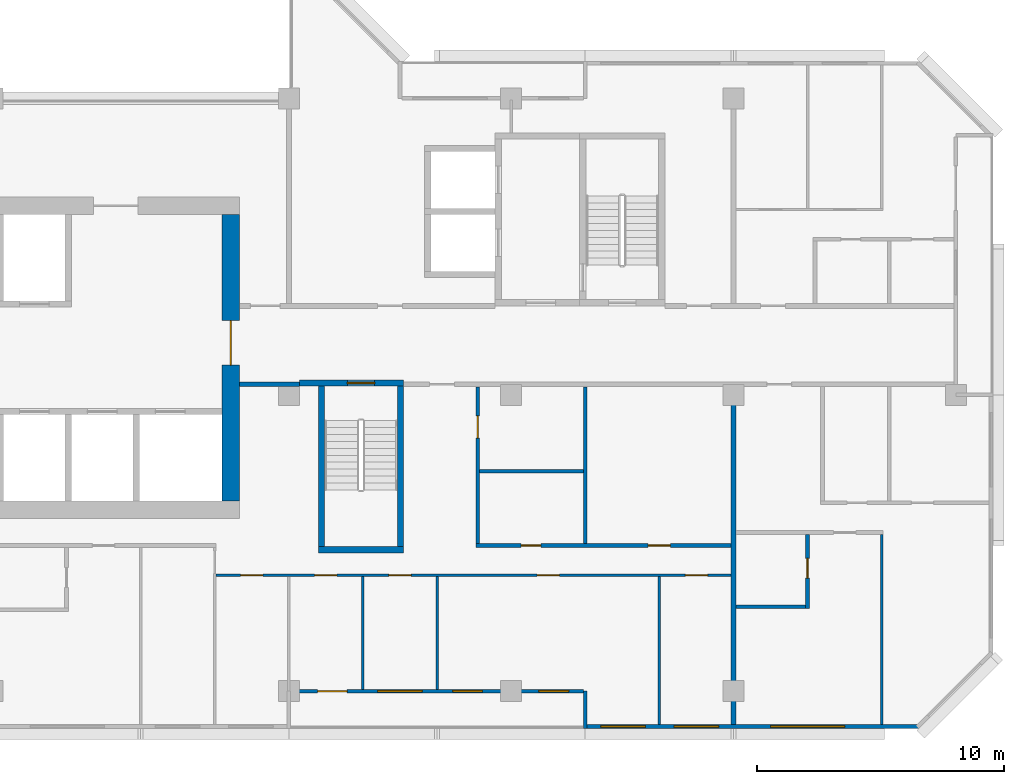
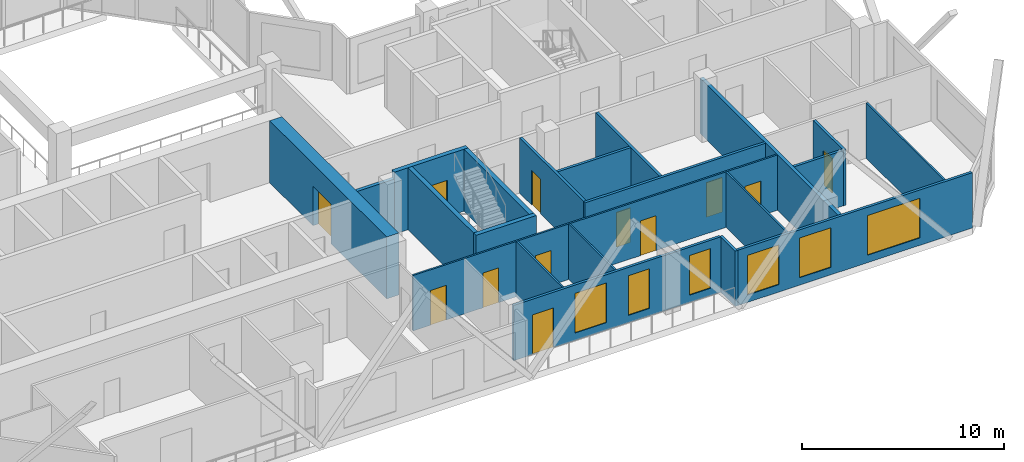
# One storey, part 6 of 14: 21 walls, 12 doors, 6 windows, 18 openings.
"""IFC4 building model written with IfcOpenShell, lengths in metres."""

from ifc_helpers import new_model, si_unit, direction, frame, frame_2d, origin, place, context, subcontext, project, spatial, rectangle, extrude, material, layer, layer_set, type_object, element, fill, save


model = new_model("IFC4")

# Units and contexts
model_context = context("Model", 3, precision=1e-05, world=origin(), true_north=direction((0.0, 1.0)))
body_context = subcontext(model_context, "Body", "Model", "MODEL_VIEW")
ifc_project = project(units=[si_unit("LENGTHUNIT", "METRE"), si_unit("AREAUNIT", "SQUARE_METRE"), si_unit("VOLUMEUNIT", "CUBIC_METRE"), si_unit("PLANEANGLEUNIT", "RADIAN"), si_unit("MASSUNIT", "GRAM", prefix="KILO")], contexts=[model_context])

# Site, building, storey
site_placement = place(None, origin())
site = spatial("IfcSite", under=ifc_project, at=site_placement, CompositionType="ELEMENT")
building_placement = place(site_placement, origin())
building = spatial("IfcBuilding", under=site, at=building_placement, Name="Chenar Terraces", CompositionType="ELEMENT")
storey_placement = place(building_placement, frame((0.0, 0.0, 226.64990234375)))
storey = spatial("IfcBuildingStorey", under=building, at=storey_placement, Name="L53", CompositionType="ELEMENT", Elevation=226.64990234375)

# Wall
ifc_material_1 = material(Name="Concrete C60/75", Category="concrete")
ifc_layer_1 = layer(ifc_material_1, 0.25)
ifc_layer_set_1 = layer_set([ifc_layer_1], Name="Concrete C60/75")
wall_type_1 = type_object("IfcWallType", Name="Core wall 250 Concrete C60/75", PredefinedType="SHEAR", material=ifc_layer_set_1)
wall_1_placement = place(storey_placement, frame((37.199951171875, 5.72509765625, 0.0), z_axis=(0.0, 0.0, 1.0), x_axis=(1.0, 0.0, 0.0)))
element("IfcWall", 1, at=wall_1_placement, inside=storey, type_object=wall_type_1, Name="Core wall ST2_S L53", PredefinedType="SHEAR", context=body_context, shape_type="SweptSolid", body=[
    extrude(rectangle(XDim=3.449951171875, YDim=0.25, at=frame_2d((1.72509765625, 0.0))), origin(), (0.0, 0.0, 1.0), 3.75),
])

# Wall, opening, door
wall_2_placement = place(storey_placement, frame((36.425048828125, 12.47509765625, 0.0), z_axis=(0.0, 0.0, 1.0), x_axis=(1.0, 0.0, 0.0)))
wall_2 = element("IfcWall", 2, at=wall_2_placement, inside=storey, type_object=wall_type_1, Name="Core wall ST2_N L53", PredefinedType="SHEAR", context=body_context, shape_type="SweptSolid", body=[
    extrude(rectangle(XDim=4.224853515625, YDim=0.25, at=frame_2d((2.1123046875, 0.0))), origin(), (0.0, 0.0, 1.0), 3.75),
])
opening_1_placement = place(wall_2_placement, frame((1.949951171875, 0.0, 0.0)))
opening_1 = element("IfcOpeningElement", 3, at=opening_1_placement, cuts=wall_2, Name="Opening DL53-C7", PredefinedType="OPENING", context=body_context, shape_type="SweptSolid", body=[
    extrude(rectangle(XDim=1.10009765625, YDim=2.199951171875, at=frame_2d((0.550048828125, 1.10009765625))), frame((0.0, 0.135009765625, 0.0), z_axis=(0.0, -1.0, 0.0), x_axis=(1.0, 0.0, 0.0)), (0.0, 0.0, 1.0), 0.27001953125),
])
ifc_material_2 = material(Name="Steel-framed fire-resisting door leaf", Category="steel")
door_type_1 = type_object("IfcDoorType", Name="Stair fire door FD60 1100 x 2200", OperationType="SINGLE_SWING_LEFT", PredefinedType="DOOR", material=ifc_material_2)
door_1_placement = place(opening_1_placement, frame((1.10009765625, 0.0, 0.0), z_axis=(0.0, 0.0, 1.0), x_axis=(-1.0, 0.0, 0.0)))
door_1 = element("IfcDoor", 4, at=door_1_placement, inside=storey, type_object=door_type_1, Name="Stair door DL53-C7", OperationType="SINGLE_SWING_LEFT", OverallHeight=2.199951171875, OverallWidth=1.10009765625, PredefinedType="DOOR", context=body_context, shape_type="SweptSolid", body=[
    extrude(rectangle(XDim=1.10009765625, YDim=2.199951171875, at=frame_2d((0.550048828125, 1.10009765625))), frame((0.0, 0.02490234375, 0.0), z_axis=(0.0, -1.0, 0.0), x_axis=(1.0, 0.0, 0.0)), (0.0, 0.0, 1.0), 0.050048828125),
])
fill(opening_1, door_1)

# Walls
for number, where, z_axis, x_axis, name in (
    (5, (37.324951171875, 5.85009765625, 0.0), (0.0, 0.0, 1.0), (0.0, 1.0, 0.0), "Core wall ST2_W L53"),
    (6, (40.52490234375, 5.85009765625, 0.0), (0.0, 0.0, 1.0), (0.0, 1.0, 0.0), "Core wall ST2_E L53"),
):
    element("IfcWall", number, at=place(storey_placement, frame(where, z_axis=z_axis, x_axis=x_axis)), inside=storey, type_object=wall_type_1, Name=name, PredefinedType="SHEAR", context=body_context, shape_type="SweptSolid", body=[
        extrude(rectangle(XDim=6.5, YDim=0.25, at=frame_2d((3.25, 0.0))), origin(), (0.0, 0.0, 1.0), 3.75),
    ])

# Wall, opening, door
ifc_material_3 = material(Name="Concrete C60/75", Category="concrete")
ifc_layer_2 = layer(ifc_material_3, 0.699951171875)
ifc_layer_set_2 = layer_set([ifc_layer_2], Name="Concrete C60/75")
wall_type_2 = type_object("IfcWallType", Name="Core wall 700 Concrete C60/75", PredefinedType="SHEAR", material=ifc_layer_set_2)
wall_3_placement = place(storey_placement, frame((33.64990234375, 7.699951171875, 0.0), z_axis=(0.0, 0.0, 1.0), x_axis=(0.0, 1.0, 0.0)))
wall_3 = element("IfcWall", 7, at=wall_3_placement, inside=storey, type_object=wall_type_2, Name="Core wall E L53", PredefinedType="SHEAR", context=body_context, shape_type="SweptSolid", body=[
    extrude(rectangle(XDim=11.60009765625, YDim=0.699951171875, at=frame_2d((5.800048828125, 0.0))), origin(), (0.0, 0.0, 1.0), 3.75),
])
opening_2_placement = place(wall_3_placement, frame((5.5, 0.0, 0.0)))
opening_2 = element("IfcOpeningElement", 8, at=opening_2_placement, cuts=wall_3, Name="Opening DL53-C1", PredefinedType="OPENING", context=body_context, shape_type="SweptSolid", body=[
    extrude(rectangle(XDim=1.800048828125, YDim=2.39990234375, at=frame_2d((0.89990234375, 1.199951171875))), frame((0.0, 0.35986328125, 0.0), z_axis=(0.0, -1.0, 0.0), x_axis=(1.0, 0.0, 0.0)), (0.0, 0.0, 1.0), 0.719970703125),
])
ifc_material_4 = material(Name="Steel-framed fire-resisting door leaf", Category="steel")
door_type_2 = type_object("IfcDoorType", Name="Core entrance double fire door FD60 1800 x 2400", OperationType="DOUBLE_DOOR_SINGLE_SWING", PredefinedType="DOOR", material=ifc_material_4)
door_2_placement = place(opening_2_placement, origin())
door_2 = element("IfcDoor", 9, at=door_2_placement, inside=storey, type_object=door_type_2, Name="Core door DL53-C1", OperationType="DOUBLE_DOOR_SINGLE_SWING", OverallHeight=2.39990234375, OverallWidth=1.800048828125, PredefinedType="DOOR", context=body_context, shape_type="SweptSolid", body=[
    extrude(rectangle(XDim=1.800048828125, YDim=2.39990234375, at=frame_2d((0.89990234375, 1.199951171875))), frame((0.0, 0.02490234375, 0.0), z_axis=(0.0, -1.0, 0.0), x_axis=(1.0, 0.0, 0.0)), (0.0, 0.0, 1.0), 0.050048828125),
])
fill(opening_2, door_2)

# Wall
ifc_material_5 = material(Name="Gypsum board on steel studs with fire boards", Category="steel")
ifc_layer_3 = layer(ifc_material_5, 0.199951171875)
ifc_layer_set_3 = layer_set([ifc_layer_3], Name="Gypsum board on steel studs with fire boards")
wall_type_3 = type_object("IfcWallType", Name="Corridor wall 200", PredefinedType="PARTITIONING", material=ifc_layer_set_3)
wall_4_placement = place(storey_placement, frame((34.0, 12.425048828125, 0.0), z_axis=(0.0, 0.0, 1.0), x_axis=(1.0, 0.0, 0.0)))
element("IfcWall", 10, at=wall_4_placement, inside=storey, type_object=wall_type_3, Name="Partition L53-058", PredefinedType="PARTITIONING", context=body_context, shape_type="SweptSolid", body=[
    extrude(rectangle(XDim=2.426025390625, YDim=0.199951171875, at=frame_2d((1.212890625, 0.0))), origin(), (0.0, 0.0, 1.0), 3.35009765625),
])

# Wall, openings, windows
ifc_material_6 = material(Name="Aluminium framed glazing", Category="aluminium")
ifc_layer_4 = layer(ifc_material_6, 0.14990234375)
ifc_layer_set_4 = layer_set([ifc_layer_4], Name="Aluminium framed glazing")
wall_type_4 = type_object("IfcWallType", Name="Glazed flush facade wall 150", PredefinedType="SOLIDWALL", material=ifc_layer_set_4)
wall_5_placement = place(storey_placement, frame((48.074951171875, -1.425048828125, 0.0), z_axis=(0.0, 0.0, 1.0), x_axis=(1.0, 0.0, 0.0)))
wall_5 = element("IfcWall", 11, at=wall_5_placement, inside=storey, type_object=wall_type_4, Name="Glazed flush facade wall", PredefinedType="SOLIDWALL", context=body_context, shape_type="SweptSolid", body=[
    extrude(rectangle(XDim=13.425048828125, YDim=0.14990234375, at=frame_2d((6.71240234375, 0.0))), origin(), (0.0, 0.0, 1.0), 3.35009765625),
])
opening_3_placement = place(wall_5_placement, frame((0.5625, 0.0, 0.449951171875)))
opening_3 = element("IfcOpeningElement", 12, at=opening_3_placement, cuts=wall_5, Name="Opening W180x240", PredefinedType="OPENING", context=body_context, shape_type="SweptSolid", body=[
    extrude(rectangle(XDim=1.800048828125, YDim=2.39990234375, at=frame_2d((0.89990234375, 1.199951171875))), frame((0.0, 0.0849609375, 0.0), z_axis=(0.0, -1.0, 0.0), x_axis=(1.0, 0.0, 0.0)), (0.0, 0.0, 1.0), 0.169921875),
])
opening_4_placement = place(wall_5_placement, frame((3.52490234375, 0.0, 0.449951171875)))
opening_4 = element("IfcOpeningElement", 13, at=opening_4_placement, cuts=wall_5, Name="Opening W180x240", PredefinedType="OPENING", context=body_context, shape_type="SweptSolid", body=[
    extrude(rectangle(XDim=1.800048828125, YDim=2.39990234375, at=frame_2d((0.89990234375, 1.199951171875))), frame((0.0, 0.0849609375, 0.0), z_axis=(0.0, -1.0, 0.0), x_axis=(1.0, 0.0, 0.0)), (0.0, 0.0, 1.0), 0.169921875),
])
opening_5_placement = place(wall_5_placement, frame((7.425048828125, 0.0, 0.449951171875)))
opening_5 = element("IfcOpeningElement", 14, at=opening_5_placement, cuts=wall_5, Name="Opening W300x240", PredefinedType="OPENING", context=body_context, shape_type="SweptSolid", body=[
    extrude(rectangle(XDim=3.0, YDim=2.39990234375, at=frame_2d((1.5, 1.199951171875))), frame((0.0, 0.0849609375, 0.0), z_axis=(0.0, -1.0, 0.0), x_axis=(1.0, 0.0, 0.0)), (0.0, 0.0, 1.0), 0.169921875),
])
ifc_material_7 = material(Name="Low emissivity double glazing, aluminium frame", Category="aluminium")
window_type_1 = type_object("IfcWindowType", Name="Fixed light 1800 x 2400", PartitioningType="SINGLE_PANEL", PredefinedType="WINDOW", material=ifc_material_7)
window_1_placement = place(opening_3_placement, origin())
window_1 = element("IfcWindow", 15, at=window_1_placement, inside=storey, type_object=window_type_1, Name="Window", OverallHeight=2.39990234375, OverallWidth=1.800048828125, PartitioningType="SINGLE_PANEL", PredefinedType="WINDOW", context=body_context, shape_type="SweptSolid", body=[
    extrude(rectangle(XDim=1.800048828125, YDim=2.39990234375, at=frame_2d((0.89990234375, 1.199951171875))), frame((0.0, 0.030029296875, 0.0), z_axis=(0.0, -1.0, 0.0), x_axis=(1.0, 0.0, 0.0)), (0.0, 0.0, 1.0), 0.06005859375),
])
fill(opening_3, window_1)
window_2_placement = place(opening_4_placement, origin())
window_2 = element("IfcWindow", 16, at=window_2_placement, inside=storey, type_object=window_type_1, Name="Window", OverallHeight=2.39990234375, OverallWidth=1.800048828125, PartitioningType="SINGLE_PANEL", PredefinedType="WINDOW", context=body_context, shape_type="SweptSolid", body=[
    extrude(rectangle(XDim=1.800048828125, YDim=2.39990234375, at=frame_2d((0.89990234375, 1.199951171875))), frame((0.0, 0.030029296875, 0.0), z_axis=(0.0, -1.0, 0.0), x_axis=(1.0, 0.0, 0.0)), (0.0, 0.0, 1.0), 0.06005859375),
])
fill(opening_4, window_2)
ifc_material_8 = material(Name="Low emissivity double glazing, aluminium frame", Category="aluminium")
window_type_2 = type_object("IfcWindowType", Name="Fixed light 3000 x 2400", PartitioningType="SINGLE_PANEL", PredefinedType="WINDOW", material=ifc_material_8)
window_3_placement = place(opening_5_placement, origin())
window_3 = element("IfcWindow", 17, at=window_3_placement, inside=storey, type_object=window_type_2, Name="Window", OverallHeight=2.39990234375, OverallWidth=3.0, PartitioningType="SINGLE_PANEL", PredefinedType="WINDOW", context=body_context, shape_type="SweptSolid", body=[
    extrude(rectangle(XDim=3.0, YDim=2.39990234375, at=frame_2d((1.5, 1.199951171875))), frame((0.0, 0.030029296875, 0.0), z_axis=(0.0, -1.0, 0.0), x_axis=(1.0, 0.0, 0.0)), (0.0, 0.0, 1.0), 0.06005859375),
])
fill(opening_5, window_3)

# Wall, openings, windows, door
ifc_material_9 = material(Name="Aluminium framed glazing", Category="aluminium")
ifc_layer_5 = layer(ifc_material_9, 0.14990234375)
ifc_layer_set_5 = layer_set([ifc_layer_5], Name="Aluminium framed glazing")
wall_type_5 = type_object("IfcWallType", Name="Glazed loggia back wall 150", PredefinedType="SOLIDWALL", material=ifc_layer_set_5)
wall_6_placement = place(storey_placement, frame((36.074951171875, 0.0, 0.0), z_axis=(0.0, 0.0, 1.0), x_axis=(1.0, 0.0, 0.0)))
wall_6 = element("IfcWall", 18, at=wall_6_placement, inside=storey, type_object=wall_type_5, Name="Glazed loggia back wall", PredefinedType="SOLIDWALL", context=body_context, shape_type="SweptSolid", body=[
    extrude(rectangle(XDim=11.85009765625, YDim=0.14990234375, at=frame_2d((5.925048828125, 0.0))), origin(), (0.0, 0.0, 1.0), 3.35009765625),
])
opening_6_placement = place(wall_6_placement, frame((1.08740234375, 0.0, 0.0)))
opening_6 = element("IfcOpeningElement", 19, at=opening_6_placement, cuts=wall_6, Name="Opening DL53-G6", PredefinedType="OPENING", context=body_context, shape_type="SweptSolid", body=[
    extrude(rectangle(XDim=1.199951171875, YDim=2.39990234375, at=frame_2d((0.60009765625, 1.199951171875))), frame((0.0, 0.0849609375, 0.0), z_axis=(0.0, -1.0, 0.0), x_axis=(1.0, 0.0, 0.0)), (0.0, 0.0, 1.0), 0.169921875),
])
opening_7_placement = place(wall_6_placement, frame((3.52490234375, 0.0, 0.449951171875)))
opening_7 = element("IfcOpeningElement", 20, at=opening_7_placement, cuts=wall_6, Name="Opening W180x240", PredefinedType="OPENING", context=body_context, shape_type="SweptSolid", body=[
    extrude(rectangle(XDim=1.800048828125, YDim=2.39990234375, at=frame_2d((0.89990234375, 1.199951171875))), frame((0.0, 0.0849609375, 0.0), z_axis=(0.0, -1.0, 0.0), x_axis=(1.0, 0.0, 0.0)), (0.0, 0.0, 1.0), 0.169921875),
])
opening_8_placement = place(wall_6_placement, frame((6.5625, 0.0, 0.449951171875)))
opening_8 = element("IfcOpeningElement", 21, at=opening_8_placement, cuts=wall_6, Name="Opening W120x240", PredefinedType="OPENING", context=body_context, shape_type="SweptSolid", body=[
    extrude(rectangle(XDim=1.199951171875, YDim=2.39990234375, at=frame_2d((0.60009765625, 1.199951171875))), frame((0.0, 0.0849609375, 0.0), z_axis=(0.0, -1.0, 0.0), x_axis=(1.0, 0.0, 0.0)), (0.0, 0.0, 1.0), 0.169921875),
])
opening_9_placement = place(wall_6_placement, frame((10.050048828125, 0.0, 0.449951171875)))
opening_9 = element("IfcOpeningElement", 22, at=opening_9_placement, cuts=wall_6, Name="Opening W120x240", PredefinedType="OPENING", context=body_context, shape_type="SweptSolid", body=[
    extrude(rectangle(XDim=1.199951171875, YDim=2.39990234375, at=frame_2d((0.60009765625, 1.199951171875))), frame((0.0, 0.0849609375, 0.0), z_axis=(0.0, -1.0, 0.0), x_axis=(1.0, 0.0, 0.0)), (0.0, 0.0, 1.0), 0.169921875),
])
ifc_material_10 = material(Name="Low emissivity double glazing, aluminium frame", Category="aluminium")
window_type_3 = type_object("IfcWindowType", Name="Fixed light 1200 x 2400", PartitioningType="SINGLE_PANEL", PredefinedType="WINDOW", material=ifc_material_10)
window_4_placement = place(opening_8_placement, origin())
window_4 = element("IfcWindow", 23, at=window_4_placement, inside=storey, type_object=window_type_3, Name="Window", OverallHeight=2.39990234375, OverallWidth=1.199951171875, PartitioningType="SINGLE_PANEL", PredefinedType="WINDOW", context=body_context, shape_type="SweptSolid", body=[
    extrude(rectangle(XDim=1.199951171875, YDim=2.39990234375, at=frame_2d((0.60009765625, 1.199951171875))), frame((0.0, 0.030029296875, 0.0), z_axis=(0.0, -1.0, 0.0), x_axis=(1.0, 0.0, 0.0)), (0.0, 0.0, 1.0), 0.06005859375),
])
fill(opening_8, window_4)
window_5_placement = place(opening_9_placement, origin())
window_5 = element("IfcWindow", 24, at=window_5_placement, inside=storey, type_object=window_type_3, Name="Window", OverallHeight=2.39990234375, OverallWidth=1.199951171875, PartitioningType="SINGLE_PANEL", PredefinedType="WINDOW", context=body_context, shape_type="SweptSolid", body=[
    extrude(rectangle(XDim=1.199951171875, YDim=2.39990234375, at=frame_2d((0.60009765625, 1.199951171875))), frame((0.0, 0.030029296875, 0.0), z_axis=(0.0, -1.0, 0.0), x_axis=(1.0, 0.0, 0.0)), (0.0, 0.0, 1.0), 0.06005859375),
])
fill(opening_9, window_5)
window_6_placement = place(opening_7_placement, origin())
window_6 = element("IfcWindow", 25, at=window_6_placement, inside=storey, type_object=window_type_1, Name="Window", OverallHeight=2.39990234375, OverallWidth=1.800048828125, PartitioningType="SINGLE_PANEL", PredefinedType="WINDOW", context=body_context, shape_type="SweptSolid", body=[
    extrude(rectangle(XDim=1.800048828125, YDim=2.39990234375, at=frame_2d((0.89990234375, 1.199951171875))), frame((0.0, 0.030029296875, 0.0), z_axis=(0.0, -1.0, 0.0), x_axis=(1.0, 0.0, 0.0)), (0.0, 0.0, 1.0), 0.06005859375),
])
fill(opening_7, window_6)
ifc_material_11 = material(Name="Low emissivity double glazing, aluminium frame", Category="aluminium")
door_type_3 = type_object("IfcDoorType", Name="Loggia glazed double door 1200 x 2400", OperationType="DOUBLE_DOOR_SINGLE_SWING", PredefinedType="DOOR", material=ifc_material_11)
door_3_placement = place(opening_6_placement, frame((1.199951171875, 0.0, 0.0), z_axis=(0.0, 0.0, 1.0), x_axis=(-1.0, 0.0, 0.0)))
door_3 = element("IfcDoor", 26, at=door_3_placement, inside=storey, type_object=door_type_3, Name="Loggia glazed door", OperationType="DOUBLE_DOOR_SINGLE_SWING", OverallHeight=2.39990234375, OverallWidth=1.199951171875, PredefinedType="DOOR", context=body_context, shape_type="SweptSolid", body=[
    extrude(rectangle(XDim=1.199951171875, YDim=2.39990234375, at=frame_2d((0.60009765625, 1.199951171875))), frame((0.0, 0.02490234375, 0.0), z_axis=(0.0, -1.0, 0.0), x_axis=(1.0, 0.0, 0.0)), (0.0, 0.0, 1.0), 0.050048828125),
])
fill(opening_6, door_3)

# Wall, openings, doors
ifc_material_12 = material(Name="Gypsum board on steel studs", Category="steel")
ifc_layer_6 = layer(ifc_material_12, 0.10009765625)
ifc_layer_set_6 = layer_set([ifc_layer_6], Name="Gypsum board on steel studs")
wall_type_6 = type_object("IfcWallType", Name="Gypsum partition 100", PredefinedType="PARTITIONING", material=ifc_layer_set_6)
wall_7_placement = place(storey_placement, frame((33.050048828125, 4.699951171875, 0.0), z_axis=(0.0, 0.0, 1.0), x_axis=(1.0, 0.0, 0.0)))
wall_7 = element("IfcWall", 27, at=wall_7_placement, inside=storey, type_object=wall_type_6, Name="Partition L53-057", PredefinedType="PARTITIONING", context=body_context, shape_type="SweptSolid", body=[
    extrude(rectangle(XDim=20.849853515625, YDim=0.10009765625, at=frame_2d((10.4248046875, 0.0))), origin(), (0.0, 0.0, 1.0), 3.35009765625),
])
opening_10_placement = place(wall_7_placement, frame((1.0, 0.0, 0.0)))
opening_10 = element("IfcOpeningElement", 28, at=opening_10_placement, cuts=wall_7, Name="Opening DL53-47", PredefinedType="OPENING", context=body_context, shape_type="SweptSolid", body=[
    extrude(rectangle(XDim=0.89990234375, YDim=2.10009765625, at=frame_2d((0.449951171875, 1.050048828125))), frame((0.0, 0.06005859375, 0.0), z_axis=(0.0, -1.0, 0.0), x_axis=(1.0, 0.0, 0.0)), (0.0, 0.0, 1.0), 0.1201171875),
])
opening_11_placement = place(wall_7_placement, frame((4.0, 0.0, 0.0)))
opening_11 = element("IfcOpeningElement", 29, at=opening_11_placement, cuts=wall_7, Name="Opening DL53-48", PredefinedType="OPENING", context=body_context, shape_type="SweptSolid", body=[
    extrude(rectangle(XDim=0.89990234375, YDim=2.10009765625, at=frame_2d((0.449951171875, 1.050048828125))), frame((0.0, 0.06005859375, 0.0), z_axis=(0.0, -1.0, 0.0), x_axis=(1.0, 0.0, 0.0)), (0.0, 0.0, 1.0), 0.1201171875),
])
opening_12_placement = place(wall_7_placement, frame((7.0, 0.0, 0.0)))
opening_12 = element("IfcOpeningElement", 30, at=opening_12_placement, cuts=wall_7, Name="Opening DL53-49", PredefinedType="OPENING", context=body_context, shape_type="SweptSolid", body=[
    extrude(rectangle(XDim=0.89990234375, YDim=2.10009765625, at=frame_2d((0.449951171875, 1.050048828125))), frame((0.0, 0.06005859375, 0.0), z_axis=(0.0, -1.0, 0.0), x_axis=(1.0, 0.0, 0.0)), (0.0, 0.0, 1.0), 0.1201171875),
])
opening_13_placement = place(wall_7_placement, frame((19.0, 0.0, 0.0)))
opening_13 = element("IfcOpeningElement", 31, at=opening_13_placement, cuts=wall_7, Name="Opening DL53-50", PredefinedType="OPENING", context=body_context, shape_type="SweptSolid", body=[
    extrude(rectangle(XDim=0.89990234375, YDim=2.10009765625, at=frame_2d((0.449951171875, 1.050048828125))), frame((0.0, 0.06005859375, 0.0), z_axis=(0.0, -1.0, 0.0), x_axis=(1.0, 0.0, 0.0)), (0.0, 0.0, 1.0), 0.1201171875),
])
opening_14_placement = place(wall_7_placement, frame((13.0, 0.0, 0.0)))
opening_14 = element("IfcOpeningElement", 32, at=opening_14_placement, cuts=wall_7, Name="Opening DL53-59", PredefinedType="OPENING", context=body_context, shape_type="SweptSolid", body=[
    extrude(rectangle(XDim=0.89990234375, YDim=2.10009765625, at=frame_2d((0.449951171875, 1.050048828125))), frame((0.0, 0.06005859375, 0.0), z_axis=(0.0, -1.0, 0.0), x_axis=(1.0, 0.0, 0.0)), (0.0, 0.0, 1.0), 0.1201171875),
])
ifc_material_13 = material(Name="Veneered timber door leaf", Category="wood")
door_type_4 = type_object("IfcDoorType", Name="Door 900 x 2100", OperationType="SINGLE_SWING_LEFT", PredefinedType="DOOR", material=ifc_material_13)
door_4_placement = place(opening_10_placement, frame((0.89990234375, 0.0, 0.0), z_axis=(0.0, 0.0, 1.0), x_axis=(-1.0, 0.0, 0.0)))
door_4 = element("IfcDoor", 33, at=door_4_placement, inside=storey, type_object=door_type_4, Name="Door DL53-47", OperationType="SINGLE_SWING_LEFT", OverallHeight=2.10009765625, OverallWidth=0.89990234375, PredefinedType="DOOR", context=body_context, shape_type="SweptSolid", body=[
    extrude(rectangle(XDim=0.89990234375, YDim=2.10009765625, at=frame_2d((0.449951171875, 1.050048828125))), frame((0.0, 0.02490234375, 0.0), z_axis=(0.0, -1.0, 0.0), x_axis=(1.0, 0.0, 0.0)), (0.0, 0.0, 1.0), 0.050048828125),
])
fill(opening_10, door_4)
door_5_placement = place(opening_11_placement, frame((0.89990234375, 0.0, 0.0), z_axis=(0.0, 0.0, 1.0), x_axis=(-1.0, 0.0, 0.0)))
door_5 = element("IfcDoor", 34, at=door_5_placement, inside=storey, type_object=door_type_4, Name="Door DL53-48", OperationType="SINGLE_SWING_LEFT", OverallHeight=2.10009765625, OverallWidth=0.89990234375, PredefinedType="DOOR", context=body_context, shape_type="SweptSolid", body=[
    extrude(rectangle(XDim=0.89990234375, YDim=2.10009765625, at=frame_2d((0.449951171875, 1.050048828125))), frame((0.0, 0.02490234375, 0.0), z_axis=(0.0, -1.0, 0.0), x_axis=(1.0, 0.0, 0.0)), (0.0, 0.0, 1.0), 0.050048828125),
])
fill(opening_11, door_5)
door_6_placement = place(opening_12_placement, frame((0.89990234375, 0.0, 0.0), z_axis=(0.0, 0.0, 1.0), x_axis=(-1.0, 0.0, 0.0)))
door_6 = element("IfcDoor", 35, at=door_6_placement, inside=storey, type_object=door_type_4, Name="Door DL53-49", OperationType="SINGLE_SWING_LEFT", OverallHeight=2.10009765625, OverallWidth=0.89990234375, PredefinedType="DOOR", context=body_context, shape_type="SweptSolid", body=[
    extrude(rectangle(XDim=0.89990234375, YDim=2.10009765625, at=frame_2d((0.449951171875, 1.050048828125))), frame((0.0, 0.02490234375, 0.0), z_axis=(0.0, -1.0, 0.0), x_axis=(1.0, 0.0, 0.0)), (0.0, 0.0, 1.0), 0.050048828125),
])
fill(opening_12, door_6)
door_7_placement = place(opening_13_placement, frame((0.89990234375, 0.0, 0.0), z_axis=(0.0, 0.0, 1.0), x_axis=(-1.0, 0.0, 0.0)))
door_7 = element("IfcDoor", 36, at=door_7_placement, inside=storey, type_object=door_type_4, Name="Door DL53-50", OperationType="SINGLE_SWING_LEFT", OverallHeight=2.10009765625, OverallWidth=0.89990234375, PredefinedType="DOOR", context=body_context, shape_type="SweptSolid", body=[
    extrude(rectangle(XDim=0.89990234375, YDim=2.10009765625, at=frame_2d((0.449951171875, 1.050048828125))), frame((0.0, 0.02490234375, 0.0), z_axis=(0.0, -1.0, 0.0), x_axis=(1.0, 0.0, 0.0)), (0.0, 0.0, 1.0), 0.050048828125),
])
fill(opening_13, door_7)
door_8_placement = place(opening_14_placement, frame((0.89990234375, 0.0, 0.0), z_axis=(0.0, 0.0, 1.0), x_axis=(-1.0, 0.0, 0.0)))
door_8 = element("IfcDoor", 37, at=door_8_placement, inside=storey, type_object=door_type_4, Name="Door DL53-59", OperationType="SINGLE_SWING_LEFT", OverallHeight=2.10009765625, OverallWidth=0.89990234375, PredefinedType="DOOR", context=body_context, shape_type="SweptSolid", body=[
    extrude(rectangle(XDim=0.89990234375, YDim=2.10009765625, at=frame_2d((0.449951171875, 1.050048828125))), frame((0.0, 0.02490234375, 0.0), z_axis=(0.0, -1.0, 0.0), x_axis=(1.0, 0.0, 0.0)), (0.0, 0.0, 1.0), 0.050048828125),
])
fill(opening_14, door_8)

# Walls
for number, where, z_axis, x_axis, name in (
    (38, (39.0, 0.073974609375, 0.0), (0.0, 0.0, 1.0), (0.0, 1.0, 0.0), "Partition L53-062"),
    (39, (42.0, 0.073974609375, 0.0), (0.0, 0.0, 1.0), (0.0, 1.0, 0.0), "Partition L53-064"),
):
    element("IfcWall", number, at=place(storey_placement, frame(where, z_axis=z_axis, x_axis=x_axis)), inside=storey, type_object=wall_type_6, Name=name, PredefinedType="PARTITIONING", context=body_context, shape_type="SweptSolid", body=[
        extrude(rectangle(XDim=4.575927734375, YDim=0.10009765625, at=frame_2d((2.2880859375, 0.0))), origin(), (0.0, 0.0, 1.0), 3.35009765625),
    ])
wall_8_placement = place(storey_placement, frame((51.0, -1.35009765625, 0.0), z_axis=(0.0, 0.0, 1.0), x_axis=(0.0, 1.0, 0.0)))
element("IfcWall", 40, at=wall_8_placement, inside=storey, type_object=wall_type_6, Name="Partition L53-070", PredefinedType="PARTITIONING", context=body_context, shape_type="SweptSolid", body=[
    extrude(rectangle(XDim=6.0, YDim=0.10009765625, at=frame_2d((3.0, 0.0))), origin(), (0.0, 0.0, 1.0), 3.35009765625),
])
wall_9_placement = place(storey_placement, frame((60.0, -1.35009765625, 0.0), z_axis=(0.0, 0.0, 1.0), x_axis=(0.0, 1.0, 0.0)))
element("IfcWall", 41, at=wall_9_placement, inside=storey, type_object=wall_type_6, Name="Partition L53-083", PredefinedType="PARTITIONING", context=body_context, shape_type="SweptSolid", body=[
    extrude(rectangle(XDim=7.7001953125, YDim=0.10009765625, at=frame_2d((3.85009765625, 0.0))), origin(), (0.0, 0.0, 1.0), 3.35009765625),
])
ifc_material_14 = material(Name="Terracotta cladding on insulated backing", Category="masonry")
ifc_layer_7 = layer(ifc_material_14, 0.14990234375)
ifc_layer_set_7 = layer_set([ifc_layer_7], Name="Terracotta cladding on insulated backing")
wall_type_7 = type_object("IfcWallType", Name="Loggia return wall 150", PredefinedType="SOLIDWALL", material=ifc_layer_set_7)
wall_10_placement = place(storey_placement, frame((48.0, -1.5, 0.0), z_axis=(0.0, 0.0, 1.0), x_axis=(0.0, 1.0, 0.0)))
element("IfcWall", 42, at=wall_10_placement, inside=storey, type_object=wall_type_7, Name="Loggia return wall", PredefinedType="SOLIDWALL", context=body_context, shape_type="SweptSolid", body=[
    extrude(rectangle(XDim=1.5, YDim=0.14990234375, at=frame_2d((0.75, 0.0))), origin(), (0.0, 0.0, 1.0), 3.35009765625),
])
ifc_material_15 = material(Name="Twin gypsum board on steel studs with mineral wool", Category="steel")
ifc_layer_8 = layer(ifc_material_15, 0.199951171875)
ifc_layer_set_8 = layer_set([ifc_layer_8], Name="Twin gypsum board on steel studs with mineral wool")
wall_type_8 = type_object("IfcWallType", Name="Unit demising wall 200", PredefinedType="PARTITIONING", material=ifc_layer_set_8)
wall_11_placement = place(storey_placement, frame((54.0, -1.35107421875, 0.0), z_axis=(0.0, 0.0, 1.0), x_axis=(0.0, 1.0, 0.0)))
element("IfcWall", 43, at=wall_11_placement, inside=storey, type_object=wall_type_8, Name="Partition L53-072", PredefinedType="PARTITIONING", context=body_context, shape_type="SweptSolid", body=[
    extrude(rectangle(XDim=13.676025390625, YDim=0.199951171875, at=frame_2d((6.837890625, 0.0))), origin(), (0.0, 0.0, 1.0), 3.35009765625),
])

# Wall, openings, doors
ifc_material_16 = material(Name="Moisture-resistant gypsum board on steel studs", Category="steel")
ifc_layer_9 = layer(ifc_material_16, 0.14990234375)
ifc_layer_set_9 = layer_set([ifc_layer_9], Name="Moisture-resistant gypsum board on steel studs")
wall_type_9 = type_object("IfcWallType", Name="Wet-room partition 150", PredefinedType="PARTITIONING", material=ifc_layer_set_9)
wall_12_placement = place(storey_placement, frame((43.574951171875, 5.89990234375, 0.0), z_axis=(0.0, 0.0, 1.0), x_axis=(1.0, 0.0, 0.0)))
wall_12 = element("IfcWall", 44, at=wall_12_placement, inside=storey, type_object=wall_type_9, Name="Partition L53-065", PredefinedType="PARTITIONING", context=body_context, shape_type="SweptSolid", body=[
    extrude(rectangle(XDim=10.324951171875, YDim=0.14990234375, at=frame_2d((5.16259765625, 0.0))), origin(), (0.0, 0.0, 1.0), 3.35009765625),
])
opening_15_placement = place(wall_12_placement, frame((1.824951171875, 0.0, 0.0)))
opening_15 = element("IfcOpeningElement", 45, at=opening_15_placement, cuts=wall_12, Name="Opening DL53-44", PredefinedType="OPENING", context=body_context, shape_type="SweptSolid", body=[
    extrude(rectangle(XDim=0.800048828125, YDim=2.10009765625, at=frame_2d((0.39990234375, 1.050048828125))), frame((0.0, 0.0849609375, 0.0), z_axis=(0.0, -1.0, 0.0), x_axis=(1.0, 0.0, 0.0)), (0.0, 0.0, 1.0), 0.169921875),
])
opening_16_placement = place(wall_12_placement, frame((6.97509765625, 0.0, 0.0)))
opening_16 = element("IfcOpeningElement", 46, at=opening_16_placement, cuts=wall_12, Name="Opening DL53-54", PredefinedType="OPENING", context=body_context, shape_type="SweptSolid", body=[
    extrude(rectangle(XDim=0.89990234375, YDim=2.10009765625, at=frame_2d((0.449951171875, 1.050048828125))), frame((0.0, 0.0849609375, 0.0), z_axis=(0.0, -1.0, 0.0), x_axis=(1.0, 0.0, 0.0)), (0.0, 0.0, 1.0), 0.169921875),
])
ifc_material_17 = material(Name="Veneered timber door leaf", Category="wood")
door_type_5 = type_object("IfcDoorType", Name="Door 800 x 2100", OperationType="SINGLE_SWING_LEFT", PredefinedType="DOOR", material=ifc_material_17)
door_9_placement = place(opening_15_placement, origin())
door_9 = element("IfcDoor", 47, at=door_9_placement, inside=storey, type_object=door_type_5, Name="Door DL53-44", OperationType="SINGLE_SWING_RIGHT", OverallHeight=2.10009765625, OverallWidth=0.800048828125, PredefinedType="DOOR", context=body_context, shape_type="SweptSolid", body=[
    extrude(rectangle(XDim=0.800048828125, YDim=2.10009765625, at=frame_2d((0.39990234375, 1.050048828125))), frame((0.0, 0.02490234375, 0.0), z_axis=(0.0, -1.0, 0.0), x_axis=(1.0, 0.0, 0.0)), (0.0, 0.0, 1.0), 0.050048828125),
])
fill(opening_15, door_9)
door_10_placement = place(opening_16_placement, origin())
door_10 = element("IfcDoor", 48, at=door_10_placement, inside=storey, type_object=door_type_4, Name="Door DL53-54", OperationType="SINGLE_SWING_RIGHT", OverallHeight=2.10009765625, OverallWidth=0.89990234375, PredefinedType="DOOR", context=body_context, shape_type="SweptSolid", body=[
    extrude(rectangle(XDim=0.89990234375, YDim=2.10009765625, at=frame_2d((0.449951171875, 1.050048828125))), frame((0.0, 0.02490234375, 0.0), z_axis=(0.0, -1.0, 0.0), x_axis=(1.0, 0.0, 0.0)), (0.0, 0.0, 1.0), 0.050048828125),
])
fill(opening_16, door_10)

# Wall, opening, door
wall_13_placement = place(storey_placement, frame((43.64990234375, 5.97509765625, 0.0), z_axis=(0.0, 0.0, 1.0), x_axis=(0.0, 1.0, 0.0)))
wall_13 = element("IfcWall", 49, at=wall_13_placement, inside=storey, type_object=wall_type_9, Name="Partition L53-066", PredefinedType="PARTITIONING", context=body_context, shape_type="SweptSolid", body=[
    extrude(rectangle(XDim=6.349853515625, YDim=0.14990234375, at=frame_2d((3.1748046875, 0.0))), origin(), (0.0, 0.0, 1.0), 3.35009765625),
])
opening_17_placement = place(wall_13_placement, frame((4.27490234375, 0.0, 0.0)))
opening_17 = element("IfcOpeningElement", 50, at=opening_17_placement, cuts=wall_13, Name="Opening DL53-57", PredefinedType="OPENING", context=body_context, shape_type="SweptSolid", body=[
    extrude(rectangle(XDim=0.89990234375, YDim=2.10009765625, at=frame_2d((0.449951171875, 1.050048828125))), frame((0.0, 0.0849609375, 0.0), z_axis=(0.0, -1.0, 0.0), x_axis=(1.0, 0.0, 0.0)), (0.0, 0.0, 1.0), 0.169921875),
])
door_11_placement = place(opening_17_placement, frame((0.89990234375, 0.0, 0.0), z_axis=(0.0, 0.0, 1.0), x_axis=(-1.0, 0.0, 0.0)))
door_11 = element("IfcDoor", 51, at=door_11_placement, inside=storey, type_object=door_type_4, Name="Door DL53-57", OperationType="SINGLE_SWING_LEFT", OverallHeight=2.10009765625, OverallWidth=0.89990234375, PredefinedType="DOOR", context=body_context, shape_type="SweptSolid", body=[
    extrude(rectangle(XDim=0.89990234375, YDim=2.10009765625, at=frame_2d((0.449951171875, 1.050048828125))), frame((0.0, 0.02490234375, 0.0), z_axis=(0.0, -1.0, 0.0), x_axis=(1.0, 0.0, 0.0)), (0.0, 0.0, 1.0), 0.050048828125),
])
fill(opening_17, door_11)

# Walls
wall_14_placement = place(storey_placement, frame((43.72509765625, 8.89990234375, 0.0), z_axis=(0.0, 0.0, 1.0), x_axis=(1.0, 0.0, 0.0)))
element("IfcWall", 52, at=wall_14_placement, inside=storey, type_object=wall_type_9, Name="Partition L53-067", PredefinedType="PARTITIONING", context=body_context, shape_type="SweptSolid", body=[
    extrude(rectangle(XDim=4.199951171875, YDim=0.14990234375, at=frame_2d((2.10009765625, 0.0))), origin(), (0.0, 0.0, 1.0), 3.35009765625),
])
wall_15_placement = place(storey_placement, frame((48.0, 5.97509765625, 0.0), z_axis=(0.0, 0.0, 1.0), x_axis=(0.0, 1.0, 0.0)))
element("IfcWall", 53, at=wall_15_placement, inside=storey, type_object=wall_type_9, Name="Partition L53-069", PredefinedType="PARTITIONING", context=body_context, shape_type="SweptSolid", body=[
    extrude(rectangle(XDim=6.349853515625, YDim=0.14990234375, at=frame_2d((3.1748046875, 0.0))), origin(), (0.0, 0.0, 1.0), 3.35009765625),
])
wall_16_placement = place(storey_placement, frame((54.10009765625, 3.425048828125, 0.0), z_axis=(0.0, 0.0, 1.0), x_axis=(1.0, 0.0, 0.0)))
element("IfcWall", 54, at=wall_16_placement, inside=storey, type_object=wall_type_9, Name="Partition L53-074", PredefinedType="PARTITIONING", context=body_context, shape_type="SweptSolid", body=[
    extrude(rectangle(XDim=2.824951171875, YDim=0.14990234375, at=frame_2d((1.41259765625, 0.0))), origin(), (0.0, 0.0, 1.0), 3.35009765625),
])

# Wall, opening, door
wall_17_placement = place(storey_placement, frame((57.0, 3.35009765625, 0.0), z_axis=(0.0, 0.0, 1.0), x_axis=(0.0, 1.0, 0.0)))
wall_17 = element("IfcWall", 55, at=wall_17_placement, inside=storey, type_object=wall_type_9, Name="Partition L53-077", PredefinedType="PARTITIONING", context=body_context, shape_type="SweptSolid", body=[
    extrude(rectangle(XDim=3.0, YDim=0.14990234375, at=frame_2d((1.5, 0.0))), origin(), (0.0, 0.0, 1.0), 3.35009765625),
])
opening_18_placement = place(wall_17_placement, frame((1.22509765625, 0.0, 0.0)))
opening_18 = element("IfcOpeningElement", 56, at=opening_18_placement, cuts=wall_17, Name="Opening DL53-11", PredefinedType="OPENING", context=body_context, shape_type="SweptSolid", body=[
    extrude(rectangle(XDim=0.800048828125, YDim=2.10009765625, at=frame_2d((0.39990234375, 1.050048828125))), frame((0.0, 0.0849609375, 0.0), z_axis=(0.0, -1.0, 0.0), x_axis=(1.0, 0.0, 0.0)), (0.0, 0.0, 1.0), 0.169921875),
])
door_12_placement = place(opening_18_placement, origin())
door_12 = element("IfcDoor", 57, at=door_12_placement, inside=storey, type_object=door_type_5, Name="Door DL53-11", OperationType="SINGLE_SWING_RIGHT", OverallHeight=2.10009765625, OverallWidth=0.800048828125, PredefinedType="DOOR", context=body_context, shape_type="SweptSolid", body=[
    extrude(rectangle(XDim=0.800048828125, YDim=2.10009765625, at=frame_2d((0.39990234375, 1.050048828125))), frame((0.0, 0.02490234375, 0.0), z_axis=(0.0, -1.0, 0.0), x_axis=(1.0, 0.0, 0.0)), (0.0, 0.0, 1.0), 0.050048828125),
])
fill(opening_18, door_12)

save(model, "model.ifc")
